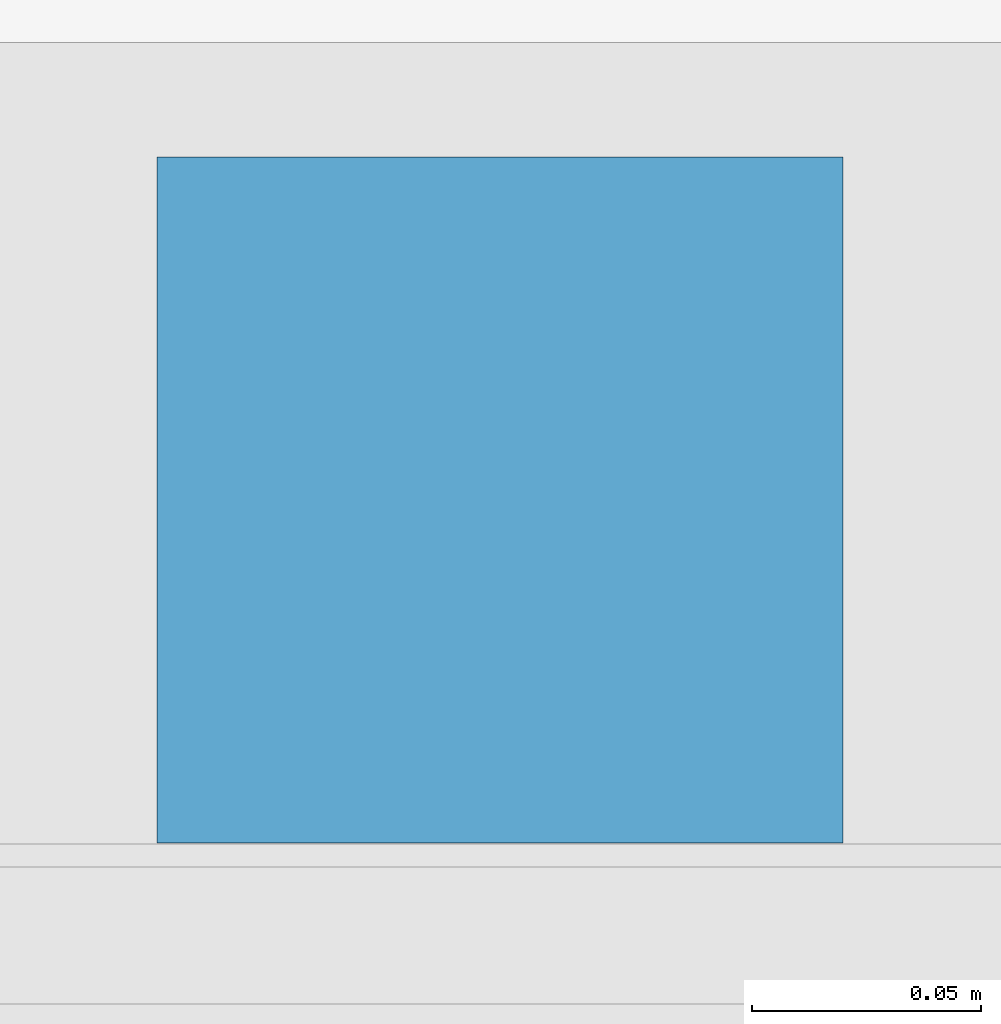
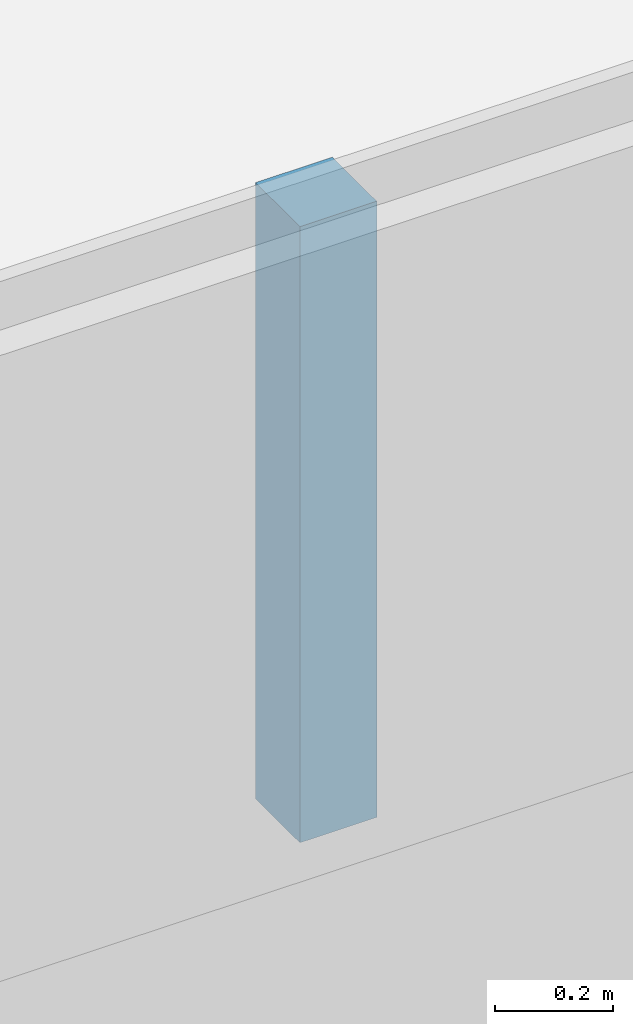
# One storey, part 28 of 61: 1 discrete accessory.
"""IFC4 building model written with IfcOpenShell, lengths in metres."""

from ifc_helpers import new_model, si_unit, direction, frame, origin, origin_2d, place, context, subcontext, project, spatial, rectangle, extrude, material, type_object, element, save


model = new_model("IFC4")

# Units and contexts
model_context = context("Model", 3, precision=1e-05, world=origin(), true_north=direction((0.0, 1.0)))
body_context = subcontext(model_context, "Body", "Model", "MODEL_VIEW")
ifc_project = project(units=[si_unit("LENGTHUNIT", "METRE"), si_unit("AREAUNIT", "SQUARE_METRE"), si_unit("VOLUMEUNIT", "CUBIC_METRE"), si_unit("PLANEANGLEUNIT", "RADIAN"), si_unit("MASSUNIT", "GRAM", prefix="KILO")], contexts=[model_context])

# Site, building, storey
site_placement = place(None, origin())
site = spatial("IfcSite", under=ifc_project, at=site_placement, CompositionType="ELEMENT")
building_placement = place(site_placement, origin())
building = spatial("IfcBuilding", under=site, at=building_placement, Name="Lantern Court Research Institute", CompositionType="ELEMENT")
storey_placement = place(building_placement, frame((0.0, 0.0, 23.39990234375)))
storey = spatial("IfcBuildingStorey", under=building, at=storey_placement, Name="L05", CompositionType="ELEMENT", Elevation=23.39990234375)

# Discrete accessory
ifc_material = material(Name="Structural steel S355", Category="steel")
discrete_accessory_type = type_object("IfcDiscreteAccessoryType", Name="Parasol roof post 150 x 150 steel", PredefinedType="BRACKET", material=ifc_material)
discrete_accessory_placement = place(storey_placement, frame((58.015380859375, 79.60009765625, 1.10009765625), z_axis=(0.0, 0.0, 1.0), x_axis=(1.0, 0.0, 0.0)))
element("IfcDiscreteAccessory", 1, at=discrete_accessory_placement, inside=storey, type_object=discrete_accessory_type, Name="Parasol roof post V6 37", PredefinedType="BRACKET", context=body_context, shape_type="SweptSolid", body=[
    extrude(rectangle(XDim=0.14990234375, YDim=0.14990234375, at=origin_2d()), origin(), (0.0, 0.0, 1.0), 1.27001953125),
])

save(model, "model.ifc")
